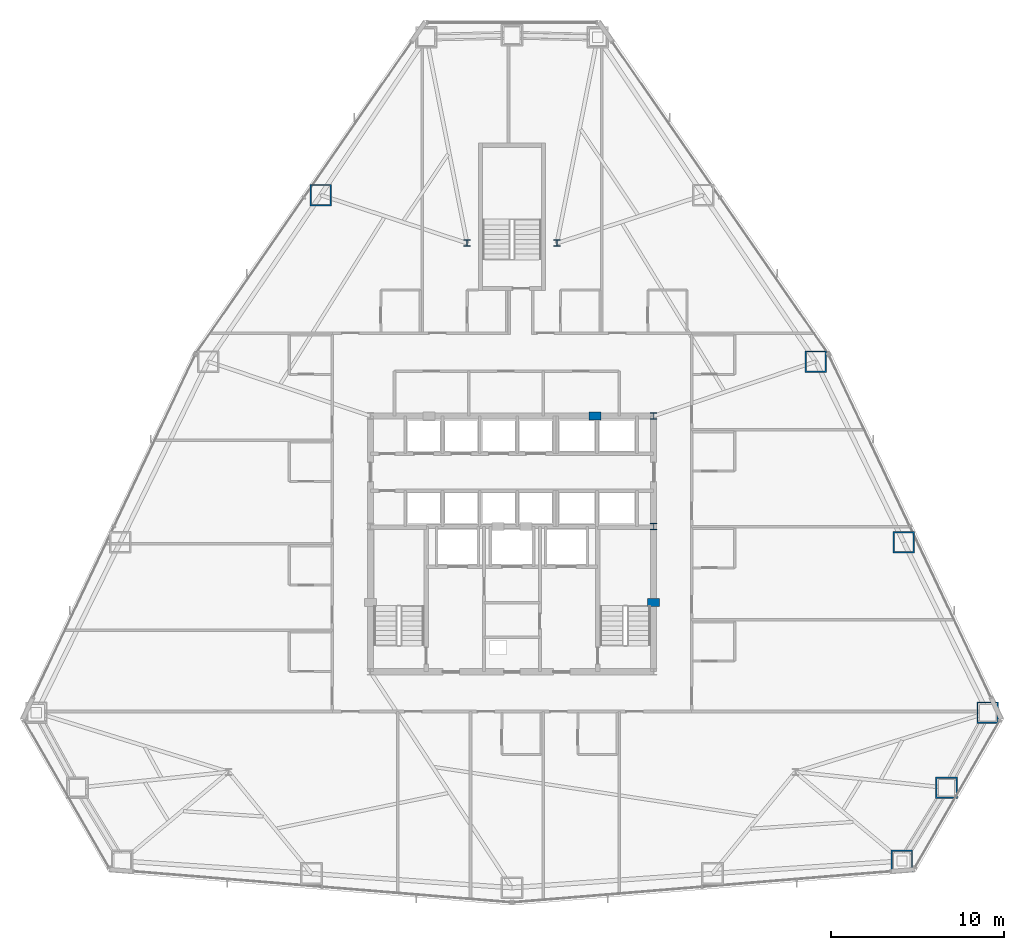
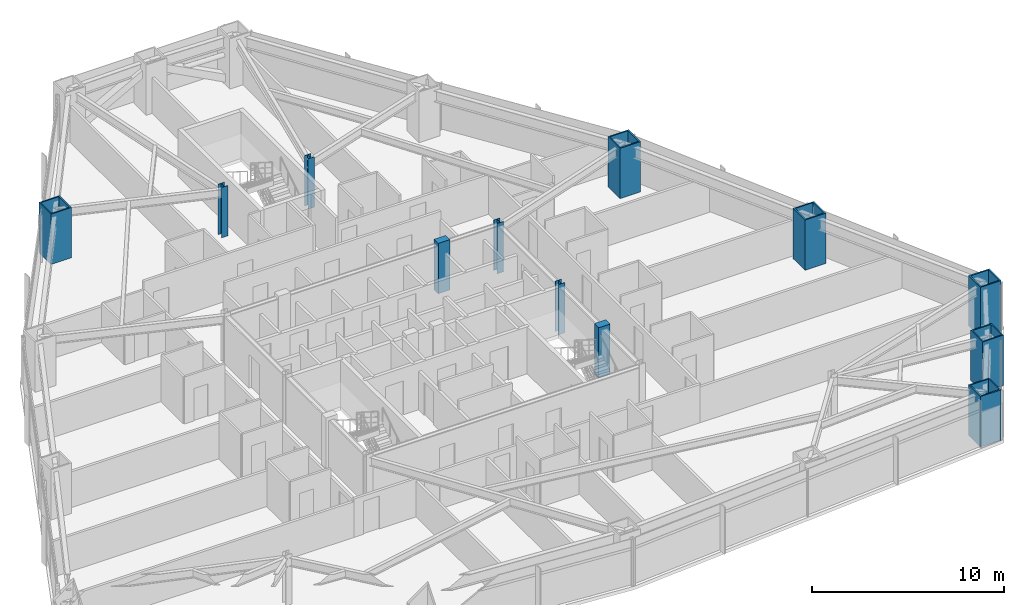
# One storey, part 2 of 13: 12 columns.
"""IFC4 building model written with IfcOpenShell, lengths in metres."""

from ifc_helpers import new_model, si_unit, direction, frame, origin, origin_2d, place, context, subcontext, project, spatial, rectangle, hollow_rectangle, i_section, extrude, material, material_profile, profile_set, type_object, element, save


model = new_model("IFC4")

# Units and contexts
model_context = context("Model", 3, precision=1e-05, world=origin(), true_north=direction((0.0, 1.0)))
body_context = subcontext(model_context, "Body", "Model", "MODEL_VIEW")
ifc_project = project(units=[si_unit("LENGTHUNIT", "METRE"), si_unit("AREAUNIT", "SQUARE_METRE"), si_unit("VOLUMEUNIT", "CUBIC_METRE"), si_unit("PLANEANGLEUNIT", "RADIAN"), si_unit("MASSUNIT", "GRAM", prefix="KILO")], contexts=[model_context])

# Site, building, storey
site_placement = place(None, origin())
site = spatial("IfcSite", under=ifc_project, at=site_placement, CompositionType="ELEMENT")
building_placement = place(site_placement, origin())
building = spatial("IfcBuilding", under=site, at=building_placement, Name="Varakhsha Concourse Tower", CompositionType="ELEMENT")
storey_placement = place(building_placement, frame((0.0, 0.0, 46.39990234375)))
storey = spatial("IfcBuildingStorey", under=building, at=storey_placement, Name="L12", CompositionType="ELEMENT", Elevation=46.39990234375)

# Columns
ifc_material_1 = material(Name="Structural Steel ASTM A992 Grade 50", Category="steel")
ifc_material_profile_1 = material_profile(ifc_material_1, i_section(OverallWidth=0.3740234375, OverallDepth=0.3720703125, WebThickness=0.01611328125, FlangeThickness=0.02587890625, at=origin_2d()), Name="W14X132")
ifc_profile_set_1 = profile_set([ifc_material_profile_1], Name="Structural Steel ASTM A992 Grade 50")
column_type_1 = type_object("IfcColumnType", Name="CL-CORE-W14X132", PredefinedType="COLUMN", material=ifc_profile_set_1)
for number, where, z_axis, x_axis, name in (
    (1, (48.199951171875, 24.800048828125, 0.0), (0.0, 0.0, 1.0), (1.0, 0.0, 0.0), "L12 Core Column CC-ME"),
    (2, (48.199951171875, 31.199951171875, 0.0), (0.0, 0.0, 1.0), (1.0, 0.0, 0.0), "L12 Core Column CC-NE"),
    (3, (37.39990234375, 41.199951171875, 0.0), (0.0, 0.0, 1.0), (1.0, 0.0, 0.0), "L12 Core Column NS-W"),
    (4, (42.60009765625, 41.199951171875, 0.0), (0.0, 0.0, 1.0), (1.0, 0.0, 0.0), "L12 Core Column NS-E"),
):
    element("IfcColumn", number, at=place(storey_placement, frame(where, z_axis=z_axis, x_axis=x_axis)), inside=storey, type_object=column_type_1, Name=name, PredefinedType="COLUMN", context=body_context, shape_type="SweptSolid", body=[
        extrude(i_section(OverallWidth=0.3740234375, OverallDepth=0.3720703125, WebThickness=0.01611328125, FlangeThickness=0.02587890625, at=origin_2d()), origin(), (0.0, 0.0, 1.0), 3.2001953125),
    ])
ifc_material_2 = material(Name="Concrete fc 65 MPa", Category="concrete")
ifc_material_profile_2 = material_profile(ifc_material_2, rectangle(XDim=0.699951171875, YDim=0.449951171875, at=origin_2d()), Name="RC 700x450")
ifc_profile_set_2 = profile_set([ifc_material_profile_2], Name="Concrete fc 65 MPa")
column_type_2 = type_object("IfcColumnType", Name="CL-PIL-700X450", PredefinedType="PILASTER", material=ifc_profile_set_2)
for number, where, z_axis, x_axis, name in (
    (5, (48.199951171875, 20.39990234375, 0.0), (0.0, 0.0, 1.0), (1.0, 0.0, 0.0), "L12 Core Boundary Pilaster PIL-E1"),
    (6, (44.800048828125, 31.199951171875, 0.0), (0.0, 0.0, 1.0), (1.0, 0.0, 0.0), "L12 Core Boundary Pilaster PIL-N2"),
):
    element("IfcColumn", number, at=place(storey_placement, frame(where, z_axis=z_axis, x_axis=x_axis)), inside=storey, type_object=column_type_2, Name=name, PredefinedType="PILASTER", context=body_context, shape_type="SweptSolid", body=[
        extrude(rectangle(XDim=0.699951171875, YDim=0.449951171875, at=origin_2d()), origin(), (0.0, 0.0, 1.0), 3.2001953125),
    ])
ifc_material_3 = material(Name="Structural Steel ASTM A572 Grade 50", Category="steel")
ifc_material_profile_3 = material_profile(ifc_material_3, hollow_rectangle(XDim=1.25, YDim=1.25, WallThickness=0.080078125, at=origin_2d()), Name="BOX 1250x1250x80")
ifc_profile_set_3 = profile_set([ifc_material_profile_3], Name="Structural Steel ASTM A572 Grade 50")
column_type_3 = type_object("IfcColumnType", Name="CL-TUBE-1250", PredefinedType="COLUMN", material=ifc_profile_set_3)
for number, where, z_axis, x_axis, name in (
    (7, (28.9306640625, 43.986083984375, 0.0), (0.0, 0.0, 1.0), (1.0, 0.0, 0.0), "L12 Framed-Tube Column TC04"),
    (8, (62.56640625, 5.44677734375, 0.0), (0.0, 0.0, 1.0), (1.0, 0.0, 0.0), "L12 Framed-Tube Column TC13"),
    (9, (65.146728515625, 9.681396484375, 0.0), (0.0, 0.0, 1.0), (1.0, 0.0, 0.0), "L12 Framed-Tube Column TC14"),
    (10, (67.52392578125, 14.033447265625, 0.0), (0.0, 0.0, 1.0), (1.0, 0.0, 0.0), "L12 Framed-Tube Column TC15"),
    (11, (62.669921875, 23.893310546875, 0.0), (0.0, 0.0, 1.0), (1.0, 0.0, 0.0), "L12 Framed-Tube Column TC16"),
    (12, (57.5810546875, 34.350341796875, 0.0), (0.0, 0.0, 1.0), (1.0, 0.0, 0.0), "L12 Framed-Tube Column TC17"),
):
    element("IfcColumn", number, at=place(storey_placement, frame(where, z_axis=z_axis, x_axis=x_axis)), inside=storey, type_object=column_type_3, Name=name, PredefinedType="COLUMN", context=body_context, shape_type="SweptSolid", body=[
        extrude(hollow_rectangle(XDim=1.25, YDim=1.25, WallThickness=0.080078125, at=origin_2d()), origin(), (0.0, 0.0, 1.0), 3.2001953125),
    ])

save(model, "model.ifc")
